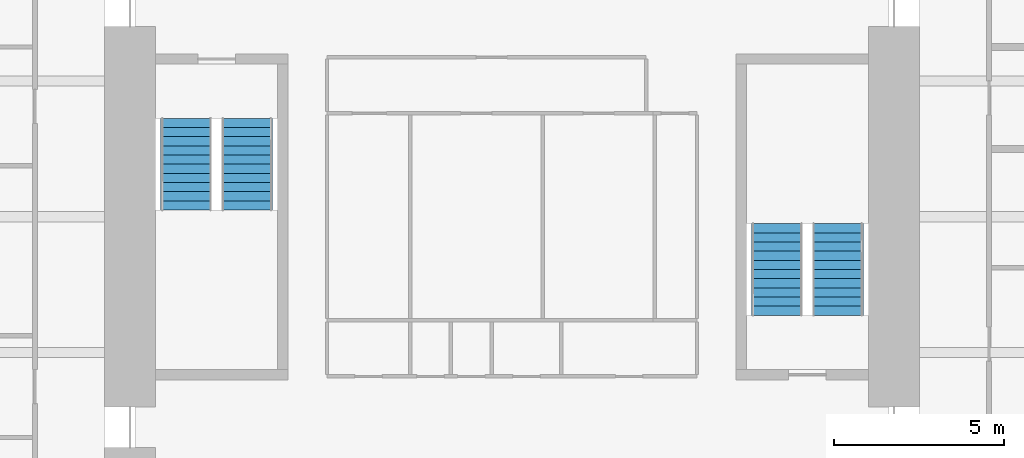
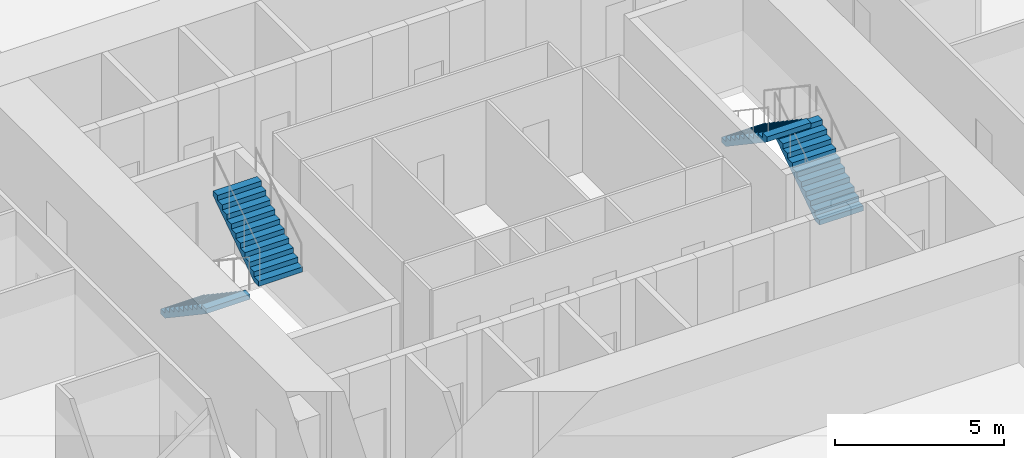
# One storey, part 14 of 15: 4 stair flights, 2 elements without a shape of their own.
"""IFC4 building model written with IfcOpenShell, lengths in metres."""

from ifc_helpers import new_model, si_unit, direction, frame, origin, place, context, subcontext, project, spatial, polyline, outline, extrude, material, type_object, element, aggregate, save


model = new_model("IFC4")

# Units and contexts
model_context = context("Model", 3, precision=1e-05, world=origin(), true_north=direction((0.0, 1.0)))
body_context = subcontext(model_context, "Body", "Model", "MODEL_VIEW")
ifc_project = project(units=[si_unit("LENGTHUNIT", "METRE"), si_unit("AREAUNIT", "SQUARE_METRE"), si_unit("VOLUMEUNIT", "CUBIC_METRE"), si_unit("PLANEANGLEUNIT", "RADIAN"), si_unit("MASSUNIT", "GRAM", prefix="KILO")], contexts=[model_context])

# Site, building, storey
site_placement = place(None, origin())
site = spatial("IfcSite", under=ifc_project, at=site_placement, CompositionType="ELEMENT")
building_placement = place(site_placement, origin())
building = spatial("IfcBuilding", under=site, at=building_placement, Name="Peilmerk Tower", CompositionType="ELEMENT")
storey_placement = place(building_placement, frame((0.0, 0.0, 217.800048828125)))
storey = spatial("IfcBuildingStorey", under=building, at=storey_placement, Name="L47", CompositionType="ELEMENT", Elevation=217.800048828125)

# Stair, stair flights
ifc_material = material(Name="Precast concrete C45/55", Category="concrete")
stair_type_1 = type_object("IfcStairType", Name="ST1 22 risers of 181.8", PredefinedType="HALF_TURN_STAIR", material=ifc_material)
stair_1_placement = place(storey_placement, origin())
stair_1 = element("IfcStair", 1, at=stair_1_placement, inside=storey, type_object=stair_type_1, Name="Stair 1 L47 to L48", PredefinedType="HALF_TURN_STAIR")
stair_flight_type = type_object("IfcStairFlightType", Name="SF11 flight, 11 risers of 181.8", PredefinedType="STRAIGHT", material=ifc_material)
stair_flight_1_placement = place(storey_placement, frame((-9.60009765625, 2.89990234375, 0.0), z_axis=(0.0, 0.0, 1.0), x_axis=(0.0, -1.0, 0.0)))
stair_flight_1 = element("IfcStairFlight", 2, at=stair_flight_1_placement, type_object=stair_flight_type, Name="ST1 flight 1", NumberOfRisers=11, NumberOfTreads=10, PredefinedType="STRAIGHT", RiserHeight=0.181818182, TreadLength=0.27, context=body_context, shape_type="SweptSolid", body=[
    extrude(outline(polyline([(0.0, 0.0), (0.0, 0.181884765625), (0.27001953125, 0.181884765625), (0.27001953125, 0.363525390625), (0.5400390625, 0.363525390625), (0.5400390625, 0.54541015625), (0.81005859375, 0.54541015625), (0.81005859375, 0.727294921875), (1.080078125, 0.727294921875), (1.080078125, 0.9091796875), (1.35009765625, 0.9091796875), (1.35009765625, 1.0908203125), (1.6201171875, 1.0908203125), (1.6201171875, 1.272705078125), (1.889892578125, 1.272705078125), (1.889892578125, 1.45458984375), (2.159912109375, 1.45458984375), (2.159912109375, 1.636474609375), (2.429931640625, 1.636474609375), (2.429931640625, 1.818115234375), (2.699951171875, 1.818115234375), (2.699951171875, 2.0), (2.699951171875, 1.637451171875), (0.268310546875, 0.0), (0.0, 0.0)])), frame((0.0, 0.75, 0.0), z_axis=(0.0, -1.0, 0.0), x_axis=(1.0, 0.0, 0.0)), (0.0, 0.0, 1.0), 1.5),
])
stair_flight_2_placement = place(storey_placement, frame((-7.800048828125, 0.199951171875, 2.0), z_axis=(0.0, 0.0, 1.0), x_axis=(0.0, 1.0, 0.0)))
stair_flight_2 = element("IfcStairFlight", 3, at=stair_flight_2_placement, type_object=stair_flight_type, Name="ST1 flight 2", NumberOfRisers=11, NumberOfTreads=10, PredefinedType="STRAIGHT", RiserHeight=0.181818182, TreadLength=0.27, context=body_context, shape_type="SweptSolid", body=[
    extrude(outline(polyline([(0.0, 0.0), (0.0, 0.181884765625), (0.27001953125, 0.181884765625), (0.27001953125, 0.363525390625), (0.5400390625, 0.363525390625), (0.5400390625, 0.54541015625), (0.81005859375, 0.54541015625), (0.81005859375, 0.727294921875), (1.080078125, 0.727294921875), (1.080078125, 0.9091796875), (1.35009765625, 0.9091796875), (1.35009765625, 1.0908203125), (1.6201171875, 1.0908203125), (1.6201171875, 1.272705078125), (1.889892578125, 1.272705078125), (1.889892578125, 1.45458984375), (2.159912109375, 1.45458984375), (2.159912109375, 1.636474609375), (2.429931640625, 1.636474609375), (2.429931640625, 1.818115234375), (2.699951171875, 1.818115234375), (2.699951171875, 2.0), (2.699951171875, 1.637451171875), (0.268310546875, 0.0), (0.0, 0.0)])), frame((0.0, 0.75, 0.0), z_axis=(0.0, -1.0, 0.0), x_axis=(1.0, 0.0, 0.0)), (0.0, 0.0, 1.0), 1.5),
])
aggregate(stair_1, [stair_flight_1, stair_flight_2])

stair_type_2 = type_object("IfcStairType", Name="ST2 22 risers of 181.8", PredefinedType="HALF_TURN_STAIR", material=ifc_material)
stair_2_placement = place(storey_placement, origin())
stair_2 = element("IfcStair", 4, at=stair_2_placement, inside=storey, type_object=stair_type_2, Name="Stair 2 L47 to L48", PredefinedType="HALF_TURN_STAIR")
stair_flight_3_placement = place(storey_placement, frame((9.60009765625, -2.89990234375, 0.0), z_axis=(0.0, 0.0, 1.0), x_axis=(0.0, 1.0, 0.0)))
stair_flight_3 = element("IfcStairFlight", 5, at=stair_flight_3_placement, type_object=stair_flight_type, Name="ST2 flight 1", NumberOfRisers=11, NumberOfTreads=10, PredefinedType="STRAIGHT", RiserHeight=0.181818182, TreadLength=0.27, context=body_context, shape_type="SweptSolid", body=[
    extrude(outline(polyline([(0.0, 0.0), (0.0, 0.181884765625), (0.27001953125, 0.181884765625), (0.27001953125, 0.363525390625), (0.5400390625, 0.363525390625), (0.5400390625, 0.54541015625), (0.81005859375, 0.54541015625), (0.81005859375, 0.727294921875), (1.080078125, 0.727294921875), (1.080078125, 0.9091796875), (1.35009765625, 0.9091796875), (1.35009765625, 1.0908203125), (1.6201171875, 1.0908203125), (1.6201171875, 1.272705078125), (1.889892578125, 1.272705078125), (1.889892578125, 1.45458984375), (2.159912109375, 1.45458984375), (2.159912109375, 1.636474609375), (2.429931640625, 1.636474609375), (2.429931640625, 1.818115234375), (2.699951171875, 1.818115234375), (2.699951171875, 2.0), (2.699951171875, 1.637451171875), (0.268310546875, 0.0), (0.0, 0.0)])), frame((0.0, 0.75, 0.0), z_axis=(0.0, -1.0, 0.0), x_axis=(1.0, 0.0, 0.0)), (0.0, 0.0, 1.0), 1.5),
])
stair_flight_4_placement = place(storey_placement, frame((7.800048828125, -0.199951171875, 2.0), z_axis=(0.0, 0.0, 1.0), x_axis=(0.0, -1.0, 0.0)))
stair_flight_4 = element("IfcStairFlight", 6, at=stair_flight_4_placement, type_object=stair_flight_type, Name="ST2 flight 2", NumberOfRisers=11, NumberOfTreads=10, PredefinedType="STRAIGHT", RiserHeight=0.181818182, TreadLength=0.27, context=body_context, shape_type="SweptSolid", body=[
    extrude(outline(polyline([(0.0, 0.0), (0.0, 0.181884765625), (0.27001953125, 0.181884765625), (0.27001953125, 0.363525390625), (0.5400390625, 0.363525390625), (0.5400390625, 0.54541015625), (0.81005859375, 0.54541015625), (0.81005859375, 0.727294921875), (1.080078125, 0.727294921875), (1.080078125, 0.9091796875), (1.35009765625, 0.9091796875), (1.35009765625, 1.0908203125), (1.6201171875, 1.0908203125), (1.6201171875, 1.272705078125), (1.889892578125, 1.272705078125), (1.889892578125, 1.45458984375), (2.159912109375, 1.45458984375), (2.159912109375, 1.636474609375), (2.429931640625, 1.636474609375), (2.429931640625, 1.818115234375), (2.699951171875, 1.818115234375), (2.699951171875, 2.0), (2.699951171875, 1.637451171875), (0.268310546875, 0.0), (0.0, 0.0)])), frame((0.0, 0.75, 0.0), z_axis=(0.0, -1.0, 0.0), x_axis=(1.0, 0.0, 0.0)), (0.0, 0.0, 1.0), 1.5),
])
aggregate(stair_2, [stair_flight_3, stair_flight_4])

save(model, "model.ifc")
